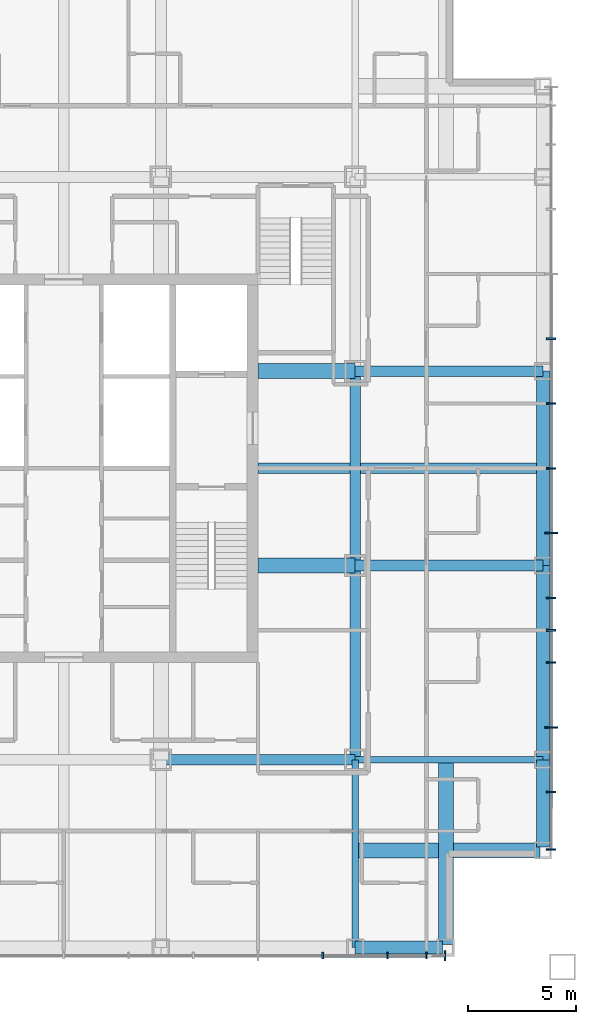
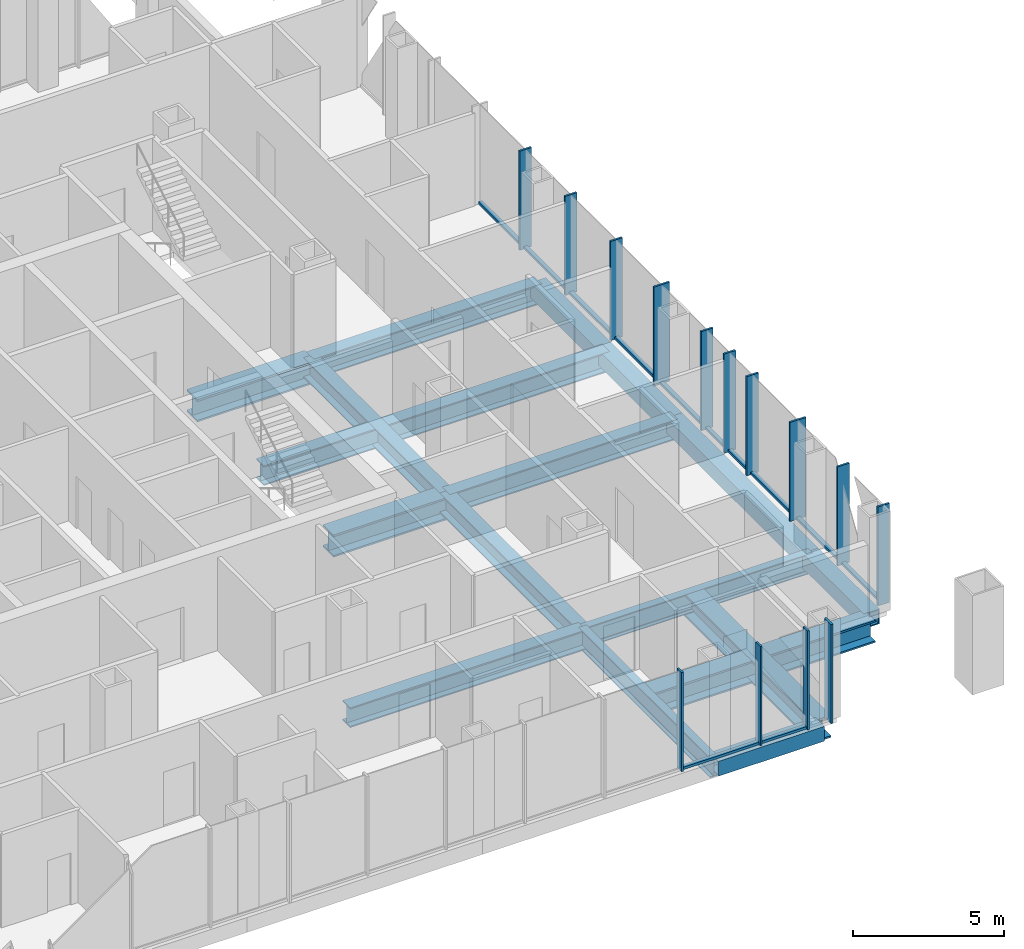
# One storey, part 3 of 15: 26 members, 16 beams, 2 elements without a shape of their own.
"""IFC4 building model written with IfcOpenShell, lengths in metres."""

import ifcopenshell
import ifcopenshell.guid

model = None  # the IFC model being written
_history = None  # IfcOwnerHistory: only IFC2X3 demands one
_inside = {}  # id of a spatial element -> (the spatial element, [elements in it])
_under = {}  # id of a project, library or spatial element -> (it, [spatial elements below it])
_declared = {}  # id of a project -> (the project, [libraries it declares])
_typed = {}  # id of a type object -> (the type object, [elements of that type])
_made_of = {}  # id of a material, layer set ... -> (it, [elements and type objects made of it])


def new_model(schema):
    """Start an empty IFC model of exactly this schema.

    Asked for "IFC4X3", IfcOpenShell would pick the latest addendum, in which some entities
    have other attributes; the version numbers below select the first issue.
    IFC2X3 requires an IfcOwnerHistory on every rooted entity: one is made here for all.
    """
    global model, _history
    if schema == "IFC4X3":
        model = ifcopenshell.file(schema_version=(4, 3, 0, 0))
    else:
        model = ifcopenshell.file(schema=schema)
    _inside.clear()
    _under.clear()
    _declared.clear()
    _typed.clear()
    _made_of.clear()
    _history = None
    if model.schema == "IFC2X3":
        org = make("IfcOrganization", Name="unknown")
        user = make(
            "IfcPersonAndOrganization",
            ThePerson=make("IfcPerson", FamilyName="unknown"),
            TheOrganization=org,
        )
        app = make(
            "IfcApplication",
            ApplicationDeveloper=org,
            Version="unknown",
            ApplicationFullName="unknown",
            ApplicationIdentifier="unknown",
        )
        _history = make(
            "IfcOwnerHistory",
            OwningUser=user,
            OwningApplication=app,
            ChangeAction="ADDED",
            CreationDate=0,
        )
    return model


def make(cls, **values):
    """One entity of the class cls with the attributes given. An attribute that is None is left unset."""
    return model.create_entity(
        cls, **{name: value for name, value in values.items() if value is not None}
    )


def rooted(cls, **values):
    """An entity with a GlobalId (a new one), such as an element, a storey or a relation."""
    return make(cls, GlobalId=ifcopenshell.guid.new(), OwnerHistory=_history, **values)


def si_unit(unit_type, name, prefix=None):
    """IfcSIUnit, for example si_unit("LENGTHUNIT", "METRE", prefix="MILLI")."""
    return make("IfcSIUnit", UnitType=unit_type, Prefix=prefix, Name=name)


def assignment(units):
    """IfcUnitAssignment: the units of a project."""
    return None if units is None else make("IfcUnitAssignment", Units=units)


def point(xyz):
    """IfcCartesianPoint."""
    return None if xyz is None else make("IfcCartesianPoint", Coordinates=xyz)


def direction(xyz):
    """IfcDirection."""
    return None if xyz is None else make("IfcDirection", DirectionRatios=xyz)


def frame(location, z_axis=None, x_axis=None):
    """IfcAxis2Placement3D, a coordinate frame: its origin and axes. An axis left out is left unset."""
    return make(
        "IfcAxis2Placement3D",
        Location=point(location),
        Axis=direction(z_axis),
        RefDirection=direction(x_axis),
    )


def frame_2d(location, x_axis=None):
    """IfcAxis2Placement2D, a coordinate frame in the plane: its origin and x axis."""
    return make(
        "IfcAxis2Placement2D", Location=point(location), RefDirection=direction(x_axis)
    )


def origin():
    """The frame at (0, 0, 0) with its axes left unset."""
    return frame((0.0, 0.0, 0.0))


def origin_2d():
    """The frame at (0, 0) in the plane with its x axis left unset."""
    return frame_2d((0.0, 0.0))


def place(relative_to, where):
    """IfcLocalPlacement: puts the frame where relative to a parent placement (None: the world)."""
    return make(
        "IfcLocalPlacement", PlacementRelTo=relative_to, RelativePlacement=where
    )


def context(
    kind, dimensions, precision=None, world=None, true_north=None, identifier=None
):
    """IfcGeometricRepresentationContext, for example the 3D "Model" context."""
    return make(
        "IfcGeometricRepresentationContext",
        ContextIdentifier=identifier,
        ContextType=kind,
        CoordinateSpaceDimension=dimensions,
        Precision=precision,
        WorldCoordinateSystem=world,
        TrueNorth=true_north,
    )


def subcontext(parent, identifier, kind, view, scale=None):
    """IfcGeometricRepresentationSubContext, for example "Body" below "Model"."""
    return make(
        "IfcGeometricRepresentationSubContext",
        ContextIdentifier=identifier,
        ContextType=kind,
        ParentContext=parent,
        TargetScale=scale,
        TargetView=view,
    )


def project(units=None, contexts=None):
    """IfcProject with its units and contexts."""
    return rooted(
        "IfcProject",
        Name="project",
        RepresentationContexts=contexts,
        UnitsInContext=assignment(units),
    )


def spatial(cls, under=None, at=None, **own):
    """A site, building, storey or space (cls), placed at a placement, below another one or the project."""
    s = rooted(cls, ObjectPlacement=at, **own)
    if under is not None:
        _under.setdefault(under.id(), (under, []))[1].append(s)
    return s


def profile(cls, at=None, kind="AREA", **sizes):
    """A parametric profile (cls). Its sizes go by their IFC names, for example OverallWidth=200.0."""
    return make(cls, ProfileType=kind, Position=at, **sizes)


def rectangle(**sizes):
    """IfcRectangleProfileDef."""
    return profile("IfcRectangleProfileDef", **sizes)


def hollow_rectangle(**sizes):
    """IfcRectangleHollowProfileDef."""
    return profile("IfcRectangleHollowProfileDef", **sizes)


def i_section(**sizes):
    """IfcIShapeProfileDef."""
    return profile("IfcIShapeProfileDef", **sizes)


def extrude(swept, where, along, depth):
    """IfcExtrudedAreaSolid: the profile swept, set in the frame where, extruded along a direction by depth."""
    return make(
        "IfcExtrudedAreaSolid",
        SweptArea=swept,
        Position=where,
        ExtrudedDirection=direction(along),
        Depth=depth,
    )


def shape(context_of_items, identifier, shape_type, items):
    """IfcShapeRepresentation: the items that make up one representation, for example the "Body"."""
    return make(
        "IfcShapeRepresentation",
        ContextOfItems=context_of_items,
        RepresentationIdentifier=identifier,
        RepresentationType=shape_type,
        Items=items,
    )


def material(Name=None, Category=None):
    """IfcMaterial."""
    return make("IfcMaterial", Name=Name, Category=Category)


def layer(
    of_material, thickness, ventilated=None, Name=None, Category=None, Priority=None
):
    """IfcMaterialLayer: one layer of a wall or slab, of a material (None: an air gap)."""
    return make(
        "IfcMaterialLayer",
        Material=of_material,
        LayerThickness=thickness,
        IsVentilated=ventilated,
        Name=Name,
        Category=Category,
        Priority=Priority,
    )


def layer_set(layers, Name=None):
    """IfcMaterialLayerSet."""
    return make("IfcMaterialLayerSet", MaterialLayers=layers, LayerSetName=Name)


def material_profile(
    of_material, cross_section, Name=None, Category=None, Priority=None
):
    """IfcMaterialProfile: a cross section and its material."""
    return make(
        "IfcMaterialProfile",
        Name=Name,
        Material=of_material,
        Profile=cross_section,
        Priority=Priority,
        Category=Category,
    )


def profile_set(profiles, Name=None, composite=None):
    """IfcMaterialProfileSet."""
    return make(
        "IfcMaterialProfileSet",
        Name=Name,
        MaterialProfiles=profiles,
        CompositeProfile=composite,
    )


def made_of(thing, what):
    """Note that an element or type object is made of a material, layer set ...; save() writes the relation."""
    if what is not None:
        _made_of.setdefault(what.id(), (what, []))[1].append(thing)
    return thing


def type_object(cls, material=None, **own):
    """A type object (cls), such as IfcWallType, which elements share."""
    return made_of(rooted(cls, **own), material)


def element(
    cls,
    number,
    at=None,
    inside=None,
    cuts=None,
    type_object=None,
    material=None,
    context=None,
    identifier="Body",
    shape_type=None,
    held_by="IfcProductDefinitionShape",
    body=None,
    shapes=None,
    **own,
):
    """One element of the class cls, such as IfcWall. Its Tag is "e" and its number.

    at: its placement. inside: the storey or other place that contains it. cuts: it is an
    opening in that element (IfcRelVoidsElement). A single representation is given by context,
    identifier, shape_type and body (its items); several are given by shapes. held_by: the class
    of the entity that holds the representations. save() writes the other relations.
    """
    e = rooted(cls, Tag="e%d" % number, ObjectPlacement=at, **own)
    if body is not None:
        shapes = [shape(context, identifier, shape_type, body)]
    if shapes is not None:
        e.Representation = make(held_by, Representations=shapes)
    if inside is not None:
        _inside.setdefault(inside.id(), (inside, []))[1].append(e)
    if cuts is not None:
        rooted(
            "IfcRelVoidsElement", RelatingBuildingElement=cuts, RelatedOpeningElement=e
        )
    if type_object is not None:
        _typed.setdefault(type_object.id(), (type_object, []))[1].append(e)
    return made_of(e, material)


def aggregate(whole, parts):
    """IfcRelAggregates: a whole, such as a stair, and the parts it consists of."""
    return rooted("IfcRelAggregates", RelatingObject=whole, RelatedObjects=parts)


def save(model, path):
    """Write the relations noted so far, then the file.

    IfcRelAggregates (storeys below a building ...), IfcRelContainedInSpatialStructure (elements
    in a storey), IfcRelDefinesByType, IfcRelAssociatesMaterial and IfcRelDeclares: one each for
    every whole, place, type object, material and project.
    """
    for whole, parts in _under.values():
        aggregate(whole, parts)
    for where, things in _inside.values():
        rooted(
            "IfcRelContainedInSpatialStructure",
            RelatedElements=things,
            RelatingStructure=where,
        )
    for kind, things in _typed.values():
        rooted("IfcRelDefinesByType", RelatedObjects=things, RelatingType=kind)
    for what, things in _made_of.values():
        rooted("IfcRelAssociatesMaterial", RelatedObjects=things, RelatingMaterial=what)
    for by, libraries in _declared.values():
        rooted("IfcRelDeclares", RelatingContext=by, RelatedDefinitions=libraries)
    model.write(path)


model = new_model("IFC4")

# Units and contexts
model_context = context("Model", 3, precision=1e-05, world=origin(), true_north=direction((0.0, 1.0)))
body_context = subcontext(model_context, "Body", "Model", "MODEL_VIEW")
ifc_project = project(units=[si_unit("LENGTHUNIT", "METRE"), si_unit("AREAUNIT", "SQUARE_METRE"), si_unit("VOLUMEUNIT", "CUBIC_METRE"), si_unit("PLANEANGLEUNIT", "RADIAN"), si_unit("MASSUNIT", "GRAM", prefix="KILO")], contexts=[model_context])

# Site, building, storey
site_placement = place(None, origin())
site = spatial("IfcSite", under=ifc_project, at=site_placement, CompositionType="ELEMENT")
building_placement = place(site_placement, origin())
building = spatial("IfcBuilding", under=site, at=building_placement, Name="Malebo Sky Hospital", CompositionType="ELEMENT")
storey_placement = place(building_placement, frame((0.0, 0.0, 217.0)))
storey = spatial("IfcBuildingStorey", under=building, at=storey_placement, Name="L52", CompositionType="ELEMENT", Elevation=217.0)

# Curtain wall, members
ifc_material_1 = material(Name="Anodised aluminium, natural silver", Category="aluminium")
ifc_layer_1 = layer(ifc_material_1, 0.25)
ifc_layer_set_1 = layer_set([ifc_layer_1], Name="WARD CURTAIN WALL NORTH AND SOUTH")
curtain_wall_type_1 = type_object("IfcCurtainWallType", Name="WARD CURTAIN WALL NORTH AND SOUTH", PredefinedType="NOTDEFINED", material=ifc_layer_set_1)
curtain_wall_1_placement = place(storey_placement, origin())
curtain_wall_1 = element("IfcCurtainWall", 1, at=curtain_wall_1_placement, inside=storey, type_object=curtain_wall_type_1, Name="NS curtain wall S", PredefinedType="NOTDEFINED")
ifc_material_profile_1 = material_profile(ifc_material_1, rectangle(XDim=0.14990234375, YDim=0.10009765625, at=origin_2d()), Name="ALUMINIUM TRANSOM 150x100")
ifc_profile_set_1 = profile_set([ifc_material_profile_1], Name="Anodised aluminium, natural silver")
member_type_1 = type_object("IfcMemberType", Name="ALUMINIUM TRANSOM 150x100", PredefinedType="USERDEFINED", material=ifc_profile_set_1)
member_1_placement = place(storey_placement, frame((76.762451171875, 39.425048828125, 0.050048828125), z_axis=(-1.0, 0.0, 0.0), x_axis=(0.0, -1.0, 0.0)))
member_1 = element("IfcMember", 2, at=member_1_placement, type_object=member_type_1, Name="Transom 2", ObjectType="TRANSOM", PredefinedType="USERDEFINED", context=body_context, shape_type="SweptSolid", body=[
    extrude(rectangle(XDim=0.14990234375, YDim=0.10009765625, at=origin_2d()), origin(), (0.0, 0.0, 1.0), 1.724853515625),
])
member_2_placement = place(storey_placement, frame((74.96240234375, 39.425048828125, 0.050048828125), z_axis=(-1.0, 0.0, 0.0), x_axis=(0.0, -1.0, 0.0)))
member_2 = element("IfcMember", 3, at=member_2_placement, type_object=member_type_1, Name="Transom 3", ObjectType="TRANSOM", PredefinedType="USERDEFINED", context=body_context, shape_type="SweptSolid", body=[
    extrude(rectangle(XDim=0.14990234375, YDim=0.10009765625, at=origin_2d()), origin(), (0.0, 0.0, 1.0), 2.9248046875),
])

ifc_layer_2 = layer(ifc_material_1, 0.25)
ifc_layer_set_2 = layer_set([ifc_layer_2], Name="WARD CURTAIN WALL EAST AND WEST")
curtain_wall_type_2 = type_object("IfcCurtainWallType", Name="WARD CURTAIN WALL EAST AND WEST", PredefinedType="NOTDEFINED", material=ifc_layer_set_2)
curtain_wall_2_placement = place(storey_placement, origin())
curtain_wall_2 = element("IfcCurtainWall", 4, at=curtain_wall_2_placement, inside=storey, type_object=curtain_wall_type_2, Name="EW curtain wall E", PredefinedType="NOTDEFINED")
member_3_placement = place(storey_placement, frame((82.574951171875, 70.96240234375, 0.050048828125), z_axis=(0.0, -1.0, 0.0), x_axis=(1.0, 0.0, 0.0)))
member_3 = element("IfcMember", 5, at=member_3_placement, type_object=member_type_1, Name="Transom 5", ObjectType="TRANSOM", PredefinedType="USERDEFINED", context=body_context, shape_type="SweptSolid", body=[
    extrude(rectangle(XDim=0.14990234375, YDim=0.10009765625, at=origin_2d()), origin(), (0.0, 0.0, 1.0), 2.9248046875),
])
member_4_placement = place(storey_placement, frame((82.574951171875, 67.96240234375, 0.050048828125), z_axis=(0.0, -1.0, 0.0), x_axis=(1.0, 0.0, 0.0)))
member_4 = element("IfcMember", 6, at=member_4_placement, type_object=member_type_1, Name="Transom 6", ObjectType="TRANSOM", PredefinedType="USERDEFINED", context=body_context, shape_type="SweptSolid", body=[
    extrude(rectangle(XDim=0.14990234375, YDim=0.10009765625, at=origin_2d()), origin(), (0.0, 0.0, 1.0), 2.9248046875),
])
member_5_placement = place(storey_placement, frame((82.574951171875, 64.96240234375, 0.050048828125), z_axis=(0.0, -1.0, 0.0), x_axis=(1.0, 0.0, 0.0)))
member_5 = element("IfcMember", 7, at=member_5_placement, type_object=member_type_1, Name="Transom 7", ObjectType="TRANSOM", PredefinedType="USERDEFINED", context=body_context, shape_type="SweptSolid", body=[
    extrude(rectangle(XDim=0.14990234375, YDim=0.10009765625, at=origin_2d()), origin(), (0.0, 0.0, 1.0), 2.9248046875),
])
member_6_placement = place(storey_placement, frame((82.574951171875, 61.96240234375, 0.050048828125), z_axis=(0.0, -1.0, 0.0), x_axis=(1.0, 0.0, 0.0)))
member_6 = element("IfcMember", 8, at=member_6_placement, type_object=member_type_1, Name="Transom 8", ObjectType="TRANSOM", PredefinedType="USERDEFINED", context=body_context, shape_type="SweptSolid", body=[
    extrude(rectangle(XDim=0.14990234375, YDim=0.10009765625, at=origin_2d()), origin(), (0.0, 0.0, 1.0), 2.9248046875),
])
member_7_placement = place(storey_placement, frame((82.574951171875, 58.96240234375, 0.050048828125), z_axis=(0.0, -1.0, 0.0), x_axis=(1.0, 0.0, 0.0)))
member_7 = element("IfcMember", 9, at=member_7_placement, type_object=member_type_1, Name="Transom 9", ObjectType="TRANSOM", PredefinedType="USERDEFINED", context=body_context, shape_type="SweptSolid", body=[
    extrude(rectangle(XDim=0.14990234375, YDim=0.10009765625, at=origin_2d()), origin(), (0.0, 0.0, 1.0), 2.9248046875),
])
member_8_placement = place(storey_placement, frame((82.574951171875, 55.96240234375, 0.050048828125), z_axis=(0.0, -1.0, 0.0), x_axis=(1.0, 0.0, 0.0)))
member_8 = element("IfcMember", 10, at=member_8_placement, type_object=member_type_1, Name="Transom 10", ObjectType="TRANSOM", PredefinedType="USERDEFINED", context=body_context, shape_type="SweptSolid", body=[
    extrude(rectangle(XDim=0.14990234375, YDim=0.10009765625, at=origin_2d()), origin(), (0.0, 0.0, 1.0), 1.4248046875),
])
member_9_placement = place(storey_placement, frame((82.574951171875, 54.46240234375, 0.050048828125), z_axis=(0.0, -1.0, 0.0), x_axis=(1.0, 0.0, 0.0)))
member_9 = element("IfcMember", 11, at=member_9_placement, type_object=member_type_1, Name="Transom 11", ObjectType="TRANSOM", PredefinedType="USERDEFINED", context=body_context, shape_type="SweptSolid", body=[
    extrude(rectangle(XDim=0.14990234375, YDim=0.10009765625, at=origin_2d()), origin(), (0.0, 0.0, 1.0), 1.4248046875),
])
member_10_placement = place(storey_placement, frame((82.574951171875, 52.96240234375, 0.050048828125), z_axis=(0.0, -1.0, 0.0), x_axis=(1.0, 0.0, 0.0)))
member_10 = element("IfcMember", 12, at=member_10_placement, type_object=member_type_1, Name="Transom 12", ObjectType="TRANSOM", PredefinedType="USERDEFINED", context=body_context, shape_type="SweptSolid", body=[
    extrude(rectangle(XDim=0.14990234375, YDim=0.10009765625, at=origin_2d()), origin(), (0.0, 0.0, 1.0), 2.9248046875),
])
member_11_placement = place(storey_placement, frame((82.574951171875, 49.96240234375, 0.050048828125), z_axis=(0.0, -1.0, 0.0), x_axis=(1.0, 0.0, 0.0)))
member_11 = element("IfcMember", 13, at=member_11_placement, type_object=member_type_1, Name="Transom 13", ObjectType="TRANSOM", PredefinedType="USERDEFINED", context=body_context, shape_type="SweptSolid", body=[
    extrude(rectangle(XDim=0.14990234375, YDim=0.10009765625, at=origin_2d()), origin(), (0.0, 0.0, 1.0), 2.9248046875),
])
member_12_placement = place(storey_placement, frame((82.574951171875, 46.96240234375, 0.050048828125), z_axis=(0.0, -1.0, 0.0), x_axis=(1.0, 0.0, 0.0)))
member_12 = element("IfcMember", 14, at=member_12_placement, type_object=member_type_1, Name="Transom 14", ObjectType="TRANSOM", PredefinedType="USERDEFINED", context=body_context, shape_type="SweptSolid", body=[
    extrude(rectangle(XDim=0.14990234375, YDim=0.10009765625, at=origin_2d()), origin(), (0.0, 0.0, 1.0), 2.58740234375),
])

# Member
ifc_material_profile_2 = material_profile(ifc_material_1, rectangle(XDim=0.074951171875, YDim=0.300048828125, at=origin_2d()), Name="CW1 ALUMINIUM FIN MULLION 75x300")
ifc_profile_set_2 = profile_set([ifc_material_profile_2], Name="Anodised aluminium, natural silver")
member_type_2 = type_object("IfcMemberType", Name="CW1 ALUMINIUM FIN MULLION 75x300", PredefinedType="MULLION", material=ifc_profile_set_2)
member_13_placement = place(storey_placement, frame((76.800048828125, 39.425048828125, 0.0), z_axis=(0.0, 0.0, 1.0), x_axis=(-1.0, 0.0, 0.0)))
member_13 = element("IfcMember", 15, at=member_13_placement, type_object=member_type_2, Name="Fin mullion 2", PredefinedType="MULLION", context=body_context, shape_type="SweptSolid", body=[
    extrude(rectangle(XDim=0.074951171875, YDim=0.300048828125, at=origin_2d()), origin(), (0.0, 0.0, 1.0), 4.0),
])

member_14_placement = place(storey_placement, frame((75.0, 39.425048828125, 0.0), z_axis=(0.0, 0.0, 1.0), x_axis=(-1.0, 0.0, 0.0)))
member_14 = element("IfcMember", 16, at=member_14_placement, type_object=member_type_2, Name="Fin mullion 3", PredefinedType="MULLION", context=body_context, shape_type="SweptSolid", body=[
    extrude(rectangle(XDim=0.074951171875, YDim=0.300048828125, at=origin_2d()), origin(), (0.0, 0.0, 1.0), 4.0),
])

member_15_placement = place(storey_placement, frame((72.0, 39.425048828125, 0.0), z_axis=(0.0, 0.0, 1.0), x_axis=(-1.0, 0.0, 0.0)))
member_15 = element("IfcMember", 17, at=member_15_placement, type_object=member_type_2, Name="Fin mullion 4", PredefinedType="MULLION", context=body_context, shape_type="SweptSolid", body=[
    extrude(rectangle(XDim=0.074951171875, YDim=0.300048828125, at=origin_2d()), origin(), (0.0, 0.0, 1.0), 4.0),
])

ifc_material_profile_3 = material_profile(ifc_material_1, rectangle(XDim=0.074951171875, YDim=0.449951171875, at=origin_2d()), Name="CW1 ALUMINIUM FIN MULLION 75x450")
ifc_profile_set_3 = profile_set([ifc_material_profile_3], Name="Anodised aluminium, natural silver")
member_type_3 = type_object("IfcMemberType", Name="CW1 ALUMINIUM FIN MULLION 75x450", PredefinedType="MULLION", material=ifc_profile_set_3)
member_16_placement = place(storey_placement, frame((77.66259765625, 39.425048828125, 0.0), z_axis=(0.0, 0.0, 1.0), x_axis=(-1.0, 0.0, 0.0)))
member_16 = element("IfcMember", 18, at=member_16_placement, type_object=member_type_3, Name="Fin mullion 1", PredefinedType="MULLION", context=body_context, shape_type="SweptSolid", body=[
    extrude(rectangle(XDim=0.074951171875, YDim=0.449951171875, at=origin_2d()), origin(), (0.0, 0.0, 1.0), 4.0),
])

aggregate(curtain_wall_1, [member_16, member_13, member_14, member_15, member_1, member_2])

ifc_material_profile_4 = material_profile(ifc_material_1, rectangle(XDim=0.074951171875, YDim=0.449951171875, at=origin_2d()), Name="CW2 ALUMINIUM FIN MULLION 75x450")
ifc_profile_set_4 = profile_set([ifc_material_profile_4], Name="Anodised aluminium, natural silver")
member_type_4 = type_object("IfcMemberType", Name="CW2 ALUMINIUM FIN MULLION 75x450", PredefinedType="MULLION", material=ifc_profile_set_4)
member_17_placement = place(storey_placement, frame((82.574951171875, 68.0, 0.0), z_axis=(0.0, 0.0, 1.0), x_axis=(0.0, -1.0, 0.0)))
member_17 = element("IfcMember", 19, at=member_17_placement, type_object=member_type_4, Name="Fin mullion 6", PredefinedType="MULLION", context=body_context, shape_type="SweptSolid", body=[
    extrude(rectangle(XDim=0.074951171875, YDim=0.449951171875, at=origin_2d()), origin(), (0.0, 0.0, 1.0), 4.0),
])

member_18_placement = place(storey_placement, frame((82.574951171875, 65.0, 0.0), z_axis=(0.0, 0.0, 1.0), x_axis=(0.0, -1.0, 0.0)))
member_18 = element("IfcMember", 20, at=member_18_placement, type_object=member_type_4, Name="Fin mullion 7", PredefinedType="MULLION", context=body_context, shape_type="SweptSolid", body=[
    extrude(rectangle(XDim=0.074951171875, YDim=0.449951171875, at=origin_2d()), origin(), (0.0, 0.0, 1.0), 4.0),
])

member_19_placement = place(storey_placement, frame((82.574951171875, 62.0, 0.0), z_axis=(0.0, 0.0, 1.0), x_axis=(0.0, -1.0, 0.0)))
member_19 = element("IfcMember", 21, at=member_19_placement, type_object=member_type_4, Name="Fin mullion 8", PredefinedType="MULLION", context=body_context, shape_type="SweptSolid", body=[
    extrude(rectangle(XDim=0.074951171875, YDim=0.449951171875, at=origin_2d()), origin(), (0.0, 0.0, 1.0), 4.0),
])

member_20_placement = place(storey_placement, frame((82.574951171875, 56.0, 0.0), z_axis=(0.0, 0.0, 1.0), x_axis=(0.0, -1.0, 0.0)))
member_20 = element("IfcMember", 22, at=member_20_placement, type_object=member_type_4, Name="Fin mullion 10", PredefinedType="MULLION", context=body_context, shape_type="SweptSolid", body=[
    extrude(rectangle(XDim=0.074951171875, YDim=0.449951171875, at=origin_2d()), origin(), (0.0, 0.0, 1.0), 4.0),
])

member_21_placement = place(storey_placement, frame((82.574951171875, 54.5, 0.0), z_axis=(0.0, 0.0, 1.0), x_axis=(0.0, -1.0, 0.0)))
member_21 = element("IfcMember", 23, at=member_21_placement, type_object=member_type_4, Name="Fin mullion 11", PredefinedType="MULLION", context=body_context, shape_type="SweptSolid", body=[
    extrude(rectangle(XDim=0.074951171875, YDim=0.449951171875, at=origin_2d()), origin(), (0.0, 0.0, 1.0), 4.0),
])

member_22_placement = place(storey_placement, frame((82.574951171875, 53.0, 0.0), z_axis=(0.0, 0.0, 1.0), x_axis=(0.0, -1.0, 0.0)))
member_22 = element("IfcMember", 24, at=member_22_placement, type_object=member_type_4, Name="Fin mullion 12", PredefinedType="MULLION", context=body_context, shape_type="SweptSolid", body=[
    extrude(rectangle(XDim=0.074951171875, YDim=0.449951171875, at=origin_2d()), origin(), (0.0, 0.0, 1.0), 4.0),
])

member_23_placement = place(storey_placement, frame((82.574951171875, 47.0, 0.0), z_axis=(0.0, 0.0, 1.0), x_axis=(0.0, -1.0, 0.0)))
member_23 = element("IfcMember", 25, at=member_23_placement, type_object=member_type_4, Name="Fin mullion 14", PredefinedType="MULLION", context=body_context, shape_type="SweptSolid", body=[
    extrude(rectangle(XDim=0.074951171875, YDim=0.449951171875, at=origin_2d()), origin(), (0.0, 0.0, 1.0), 4.0),
])

member_24_placement = place(storey_placement, frame((82.574951171875, 44.33740234375, 0.0), z_axis=(0.0, 0.0, 1.0), x_axis=(0.0, -1.0, 0.0)))
member_24 = element("IfcMember", 26, at=member_24_placement, type_object=member_type_4, Name="Fin mullion 15", PredefinedType="MULLION", context=body_context, shape_type="SweptSolid", body=[
    extrude(rectangle(XDim=0.074951171875, YDim=0.449951171875, at=origin_2d()), origin(), (0.0, 0.0, 1.0), 4.0),
])

ifc_material_profile_5 = material_profile(ifc_material_1, rectangle(XDim=0.074951171875, YDim=0.60009765625, at=origin_2d()), Name="CW2 ALUMINIUM FIN MULLION 75x600")
ifc_profile_set_5 = profile_set([ifc_material_profile_5], Name="Anodised aluminium, natural silver")
member_type_5 = type_object("IfcMemberType", Name="CW2 ALUMINIUM FIN MULLION 75x600", PredefinedType="MULLION", material=ifc_profile_set_5)
member_25_placement = place(storey_placement, frame((82.574951171875, 59.0, 0.0), z_axis=(0.0, 0.0, 1.0), x_axis=(0.0, -1.0, 0.0)))
member_25 = element("IfcMember", 27, at=member_25_placement, type_object=member_type_5, Name="Fin mullion 9", PredefinedType="MULLION", context=body_context, shape_type="SweptSolid", body=[
    extrude(rectangle(XDim=0.074951171875, YDim=0.60009765625, at=origin_2d()), origin(), (0.0, 0.0, 1.0), 4.0),
])

member_26_placement = place(storey_placement, frame((82.574951171875, 50.0, 0.0), z_axis=(0.0, 0.0, 1.0), x_axis=(0.0, -1.0, 0.0)))
member_26 = element("IfcMember", 28, at=member_26_placement, type_object=member_type_5, Name="Fin mullion 13", PredefinedType="MULLION", context=body_context, shape_type="SweptSolid", body=[
    extrude(rectangle(XDim=0.074951171875, YDim=0.60009765625, at=origin_2d()), origin(), (0.0, 0.0, 1.0), 4.0),
])

aggregate(curtain_wall_2, [member_17, member_18, member_19, member_25, member_20, member_21, member_22, member_26, member_23, member_24, member_3, member_4, member_5, member_6, member_7, member_8, member_9, member_10, member_11, member_12])

# Beams
ifc_material_2 = material(Name="Steel S460", Category="steel")
ifc_material_profile_6 = material_profile(ifc_material_2, hollow_rectangle(XDim=0.60009765625, YDim=0.60009765625, WallThickness=0.0400390625, at=origin_2d()), Name="BOX 600x600x40")
ifc_profile_set_6 = profile_set([ifc_material_profile_6], Name="Steel S460")
beam_type_1 = type_object("IfcBeamType", Name="EDGE BEAM BOX 600x600x40", PredefinedType="BEAM", material=ifc_profile_set_6)
beam_1_placement = place(storey_placement, frame((82.199951171875, 44.449951171875, -0.550048828125), z_axis=(0.0, 1.0, 0.0), x_axis=(-1.0, 0.0, 0.0)))
element("IfcBeam", 29, at=beam_1_placement, inside=storey, type_object=beam_type_1, Name="Beam 029 L52", PredefinedType="BEAM", context=body_context, shape_type="SweptSolid", body=[
    extrude(hollow_rectangle(XDim=0.60009765625, YDim=0.60009765625, WallThickness=0.0400390625, at=origin_2d()), origin(), (0.0, 0.0, 1.0), 4.050048828125),
])
for number, where, z_axis, x_axis, name in (
    (30, (82.199951171875, 48.5, -0.550048828125), (0.0, 1.0, 0.0), (-1.0, 0.0, 0.0), "Beam 030 L52"),
    (31, (82.199951171875, 57.5, -0.550048828125), (0.0, 1.0, 0.0), (-1.0, 0.0, 0.0), "Beam 031 L52"),
):
    element("IfcBeam", number, at=place(storey_placement, frame(where, z_axis=z_axis, x_axis=x_axis)), inside=storey, type_object=beam_type_1, Name=name, PredefinedType="BEAM", context=body_context, shape_type="SweptSolid", body=[
        extrude(hollow_rectangle(XDim=0.60009765625, YDim=0.60009765625, WallThickness=0.0400390625, at=origin_2d()), origin(), (0.0, 0.0, 1.0), 9.0),
    ])
beam_2_placement = place(storey_placement, frame((73.5, 39.800048828125, -0.550048828125), z_axis=(1.0, 0.0, 0.0), x_axis=(0.0, 1.0, 0.0)))
element("IfcBeam", 32, at=beam_2_placement, inside=storey, type_object=beam_type_1, Name="Beam 038 L52", PredefinedType="BEAM", context=body_context, shape_type="SweptSolid", body=[
    extrude(hollow_rectangle(XDim=0.60009765625, YDim=0.60009765625, WallThickness=0.0400390625, at=origin_2d()), origin(), (0.0, 0.0, 1.0), 4.050048828125),
])
ifc_material_3 = material(Name="Steel S355", Category="steel")
ifc_material_profile_7 = material_profile(ifc_material_3, i_section(OverallWidth=0.5, OverallDepth=0.800048828125, WebThickness=0.030029296875, FlangeThickness=0.050048828125, at=origin_2d()), Name="PG 800x500x30x50")
ifc_profile_set_7 = profile_set([ifc_material_profile_7], Name="Steel S355")
beam_type_2 = type_object("IfcBeamType", Name="FLOOR BEAM PG 800x500x30x50", PredefinedType="BEAM", material=ifc_profile_set_7)
for number, where, z_axis, x_axis, name in (
    (33, (73.5, 48.5, -0.64990234375), (0.0, 1.0, 0.0), (-1.0, 0.0, 0.0), "Beam 023 L52"),
    (34, (64.5, 48.5, -0.64990234375), (1.0, 0.0, 0.0), (0.0, 1.0, 0.0), "Beam 044 L52"),
):
    element("IfcBeam", number, at=place(storey_placement, frame(where, z_axis=z_axis, x_axis=x_axis)), inside=storey, type_object=beam_type_2, Name=name, PredefinedType="BEAM", context=body_context, shape_type="SweptSolid", body=[
        extrude(i_section(OverallWidth=0.5, OverallDepth=0.800048828125, WebThickness=0.030029296875, FlangeThickness=0.050048828125, at=origin_2d()), origin(), (0.0, 0.0, 1.0), 9.0),
    ])
beam_3_placement = place(storey_placement, frame((73.5, 57.5, -0.64990234375), z_axis=(1.0, 0.0, 0.0), x_axis=(0.0, 1.0, 0.0)))
element("IfcBeam", 35, at=beam_3_placement, inside=storey, type_object=beam_type_2, Name="Beam 049 L52", PredefinedType="BEAM", context=body_context, shape_type="SweptSolid", body=[
    extrude(i_section(OverallWidth=0.5, OverallDepth=0.800048828125, WebThickness=0.030029296875, FlangeThickness=0.050048828125, at=origin_2d()), origin(), (0.0, 0.0, 1.0), 8.699951171875),
])
beam_4_placement = place(storey_placement, frame((69.0, 62.0, -0.64990234375), z_axis=(1.0, 0.0, 0.0), x_axis=(0.0, 1.0, 0.0)))
element("IfcBeam", 36, at=beam_4_placement, inside=storey, type_object=beam_type_2, Name="Beam 051 L52", PredefinedType="BEAM", context=body_context, shape_type="SweptSolid", body=[
    extrude(i_section(OverallWidth=0.5, OverallDepth=0.800048828125, WebThickness=0.030029296875, FlangeThickness=0.050048828125, at=origin_2d()), origin(), (0.0, 0.0, 1.0), 13.199951171875),
])
beam_5_placement = place(storey_placement, frame((73.5, 66.5, -0.64990234375), z_axis=(1.0, 0.0, 0.0), x_axis=(0.0, 1.0, 0.0)))
element("IfcBeam", 37, at=beam_5_placement, inside=storey, type_object=beam_type_2, Name="Beam 055 L52", PredefinedType="BEAM", context=body_context, shape_type="SweptSolid", body=[
    extrude(i_section(OverallWidth=0.5, OverallDepth=0.800048828125, WebThickness=0.030029296875, FlangeThickness=0.050048828125, at=origin_2d()), origin(), (0.0, 0.0, 1.0), 8.699951171875),
])
ifc_material_profile_8 = material_profile(ifc_material_3, i_section(OverallWidth=0.699951171875, OverallDepth=0.89990234375, WebThickness=0.0400390625, FlangeThickness=0.070068359375, at=origin_2d()), Name="PG 900x700x40x70")
ifc_profile_set_8 = profile_set([ifc_material_profile_8], Name="Steel S355")
beam_type_3 = type_object("IfcBeamType", Name="FLOOR BEAM PG 900x700x40x70", PredefinedType="BEAM", material=ifc_profile_set_8)
for number, where, z_axis, x_axis, name in (
    (38, (77.699951171875, 39.949951171875, -0.699951171875), (0.0, 1.0, 0.0), (-1.0, 0.0, 0.0), "Beam 027 L52"),
    (39, (73.5, 44.300048828125, -0.699951171875), (1.0, 0.0, 0.0), (0.0, 1.0, 0.0), "Beam 040 L52"),
):
    element("IfcBeam", number, at=place(storey_placement, frame(where, z_axis=z_axis, x_axis=x_axis)), inside=storey, type_object=beam_type_3, Name=name, PredefinedType="BEAM", context=body_context, shape_type="SweptSolid", body=[
        extrude(i_section(OverallWidth=0.699951171875, OverallDepth=0.89990234375, WebThickness=0.0400390625, FlangeThickness=0.070068359375, at=origin_2d()), origin(), (0.0, 0.0, 1.0), 8.550048828125),
    ])
for number, where, z_axis, x_axis, name in (
    (40, (69.0, 57.5, -0.699951171875), (1.0, 0.0, 0.0), (0.0, 1.0, 0.0), "Beam 048 L52"),
    (41, (69.0, 66.5, -0.699951171875), (1.0, 0.0, 0.0), (0.0, 1.0, 0.0), "Beam 054 L52"),
):
    element("IfcBeam", number, at=place(storey_placement, frame(where, z_axis=z_axis, x_axis=x_axis)), inside=storey, type_object=beam_type_3, Name=name, PredefinedType="BEAM", context=body_context, shape_type="SweptSolid", body=[
        extrude(i_section(OverallWidth=0.699951171875, OverallDepth=0.89990234375, WebThickness=0.0400390625, FlangeThickness=0.070068359375, at=origin_2d()), origin(), (0.0, 0.0, 1.0), 4.5),
    ])
ifc_material_profile_9 = material_profile(ifc_material_3, i_section(OverallWidth=0.300048828125, OverallDepth=0.800048828125, WebThickness=0.017578125, FlangeThickness=0.032958984375, FilletRadius=0.030029296875, at=origin_2d()), Name="HEB 800")
ifc_profile_set_9 = profile_set([ifc_material_profile_9], Name="Steel S355")
beam_type_4 = type_object("IfcBeamType", Name="FLOOR GIRDER HEB 800", PredefinedType="BEAM", material=ifc_profile_set_9)
for number, where, z_axis, x_axis, name in (
    (42, (73.5, 39.800048828125, -0.64990234375), (0.0, 1.0, 0.0), (-1.0, 0.0, 0.0), "Beam 022 L52"),
    (43, (73.5, 48.5, -0.64990234375), (1.0, 0.0, 0.0), (0.0, 1.0, 0.0), "Beam 045 L52"),
):
    element("IfcBeam", number, at=place(storey_placement, frame(where, z_axis=z_axis, x_axis=x_axis)), inside=storey, type_object=beam_type_4, Name=name, PredefinedType="BEAM", context=body_context, shape_type="SweptSolid", body=[
        extrude(i_section(OverallWidth=0.300048828125, OverallDepth=0.800048828125, WebThickness=0.017578125, FlangeThickness=0.032958984375, FilletRadius=0.030029296875, at=origin_2d()), origin(), (0.0, 0.0, 1.0), 8.699951171875),
    ])
ifc_material_profile_10 = material_profile(ifc_material_3, i_section(OverallWidth=0.5, OverallDepth=0.800048828125, WebThickness=0.030029296875, FlangeThickness=0.050048828125, at=origin_2d()), Name="PG 800x500x30x50")
ifc_profile_set_10 = profile_set([ifc_material_profile_10], Name="Steel S355")
beam_type_5 = type_object("IfcBeamType", Name="RING GIRDER PG 800x500x30x50", PredefinedType="BEAM", material=ifc_profile_set_10)
beam_6_placement = place(storey_placement, frame((73.5, 57.5, -0.64990234375), z_axis=(0.0, 1.0, 0.0), x_axis=(-1.0, 0.0, 0.0)))
element("IfcBeam", 44, at=beam_6_placement, inside=storey, type_object=beam_type_5, Name="Beam 024 L52", PredefinedType="BEAM", context=body_context, shape_type="SweptSolid", body=[
    extrude(i_section(OverallWidth=0.5, OverallDepth=0.800048828125, WebThickness=0.030029296875, FlangeThickness=0.050048828125, at=origin_2d()), origin(), (0.0, 0.0, 1.0), 9.0),
])

save(model, "model.ifc")
